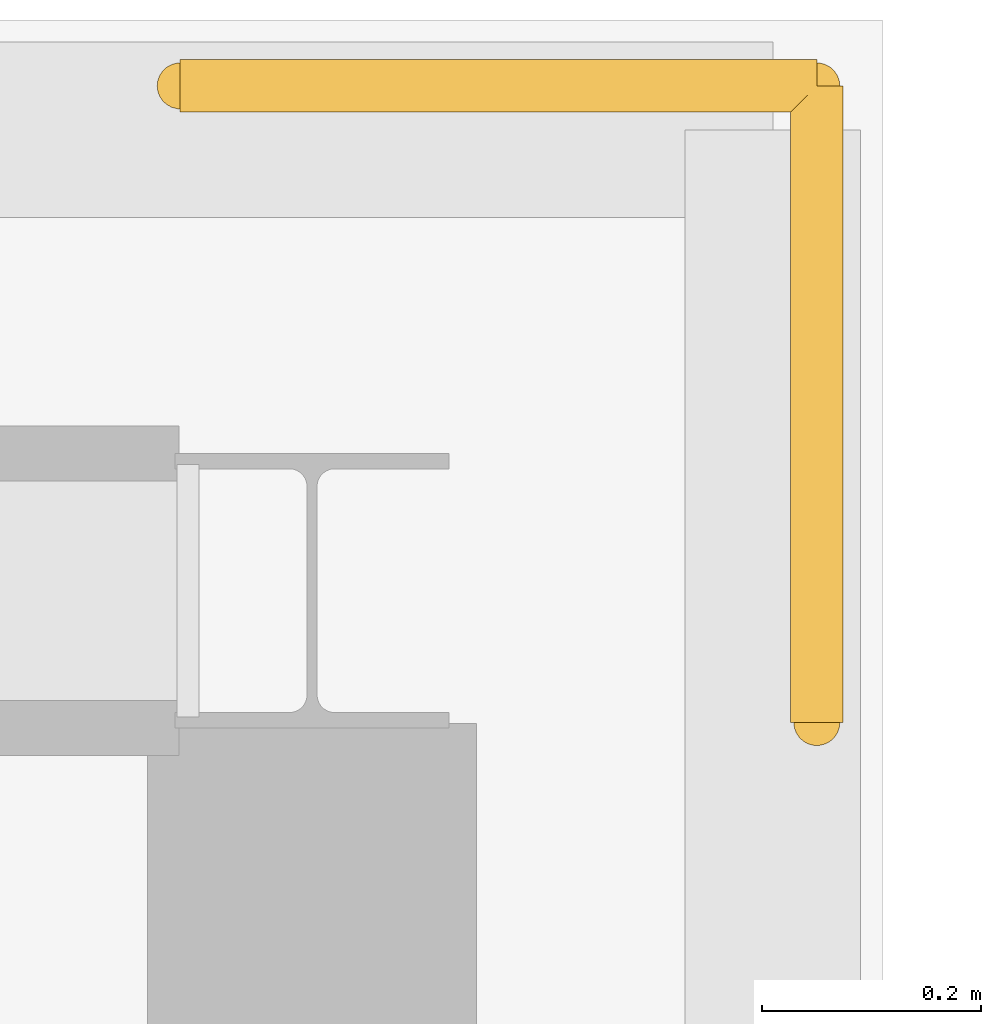
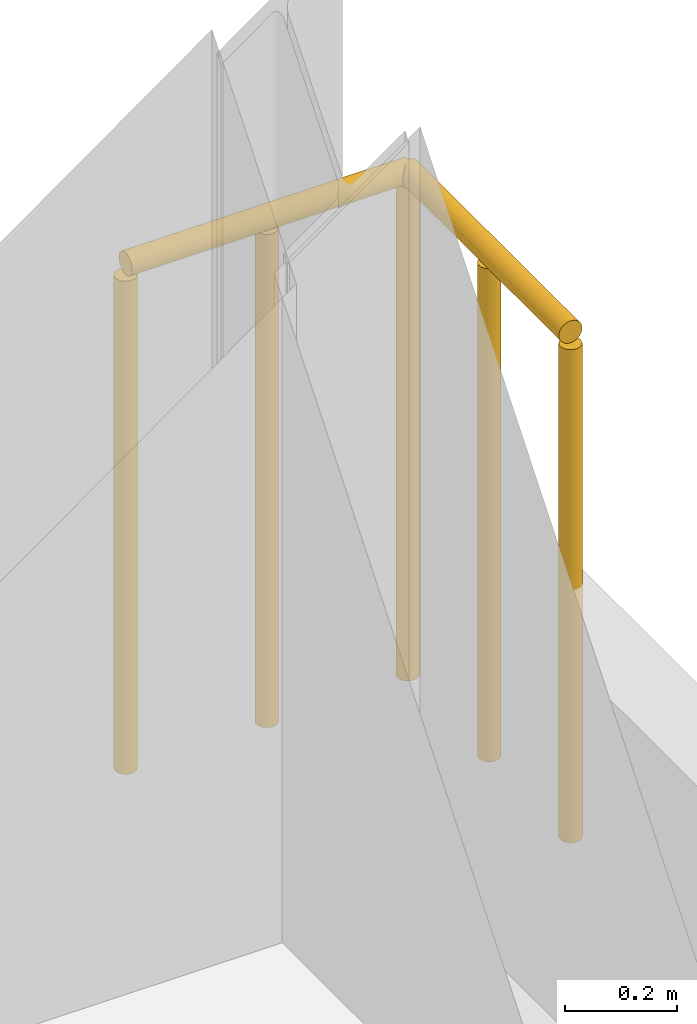
# One storey, part 181 of 184: 1 railing.
"""IFC4 building model written with IfcOpenShell, lengths in metres."""

from ifc_helpers import new_model, si_unit, direction, frame, origin, origin_2d, place, context, subcontext, project, spatial, circle, extrude, material, type_object, element, save


model = new_model("IFC4")

# Units and contexts
model_context = context("Model", 3, precision=1e-05, world=origin(), true_north=direction((0.0, 1.0)))
body_context = subcontext(model_context, "Body", "Model", "MODEL_VIEW")
ifc_project = project(units=[si_unit("LENGTHUNIT", "METRE"), si_unit("AREAUNIT", "SQUARE_METRE"), si_unit("VOLUMEUNIT", "CUBIC_METRE"), si_unit("PLANEANGLEUNIT", "RADIAN"), si_unit("MASSUNIT", "GRAM", prefix="KILO")], contexts=[model_context])

# Site, building, storey
site_placement = place(None, origin())
site = spatial("IfcSite", under=ifc_project, at=site_placement, CompositionType="ELEMENT")
building_placement = place(site_placement, origin())
building = spatial("IfcBuilding", under=site, at=building_placement, Name="Zhaolan Boulevard Law Courts", CompositionType="ELEMENT")
storey_placement = place(building_placement, frame((0.0, 0.0, 5.39990234375)))
storey = spatial("IfcBuildingStorey", under=building, at=storey_placement, Name="L01", CompositionType="ELEMENT", Elevation=5.39990234375)

# Railing
ifc_material = material(Name="Powder-coated steel baluster guardrail", Category="steel")
railing_type = type_object("IfcRailingType", Name="STAIR WELL GUARDRAIL 1120", PredefinedType="GUARDRAIL", material=ifc_material)
railing_placement = place(storey_placement, frame((107.8798828125, 112.4599609375, 0.0)))
element("IfcRailing", 1, at=railing_placement, inside=storey, type_object=railing_type, Name="Slab Corner Guardrail GR-CRN-L01-V6NE", PredefinedType="GUARDRAIL", context=body_context, shape_type="SweptSolid", body=[
    extrude(circle(Radius=0.02392578125, at=origin_2d()), frame((0.0, 0.0, 1.09619140625), z_axis=(1.0, 0.0, 0.0), x_axis=(0.0, 1.0, 0.0)), (0.0, 0.0, 1.0), 0.580078125),
    extrude(circle(Radius=0.02392578125, at=origin_2d()), frame((0.580078125, 0.0, 1.09619140625), z_axis=(0.0, -1.0, 0.0), x_axis=(1.0, 0.0, 0.0)), (0.0, 0.0, 1.0), 0.580078125),
    extrude(circle(Radius=0.02099609375, at=origin_2d()), origin(), (0.0, 0.0, 1.0), 1.072021484375),
    extrude(circle(Radius=0.02099609375, at=origin_2d()), frame((0.2900390625, 0.0, 0.0)), (0.0, 0.0, 1.0), 1.072021484375),
    extrude(circle(Radius=0.02099609375, at=origin_2d()), frame((0.580078125, 0.0, 0.0)), (0.0, 0.0, 1.0), 1.072021484375),
    extrude(circle(Radius=0.02099609375, at=origin_2d()), frame((0.580078125, -0.2900390625, 0.0)), (0.0, 0.0, 1.0), 1.072021484375),
    extrude(circle(Radius=0.02099609375, at=origin_2d()), frame((0.580078125, -0.580078125, 0.0)), (0.0, 0.0, 1.0), 1.072021484375),
])

save(model, "model.ifc")
